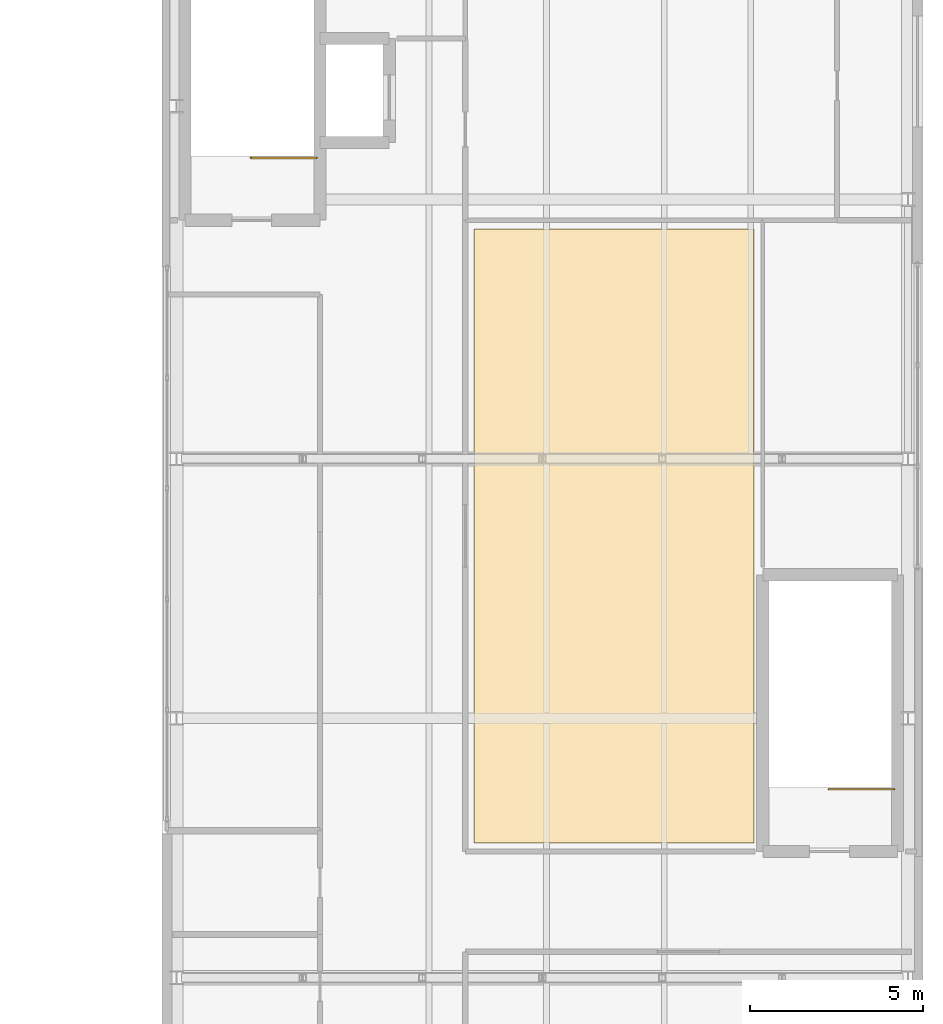
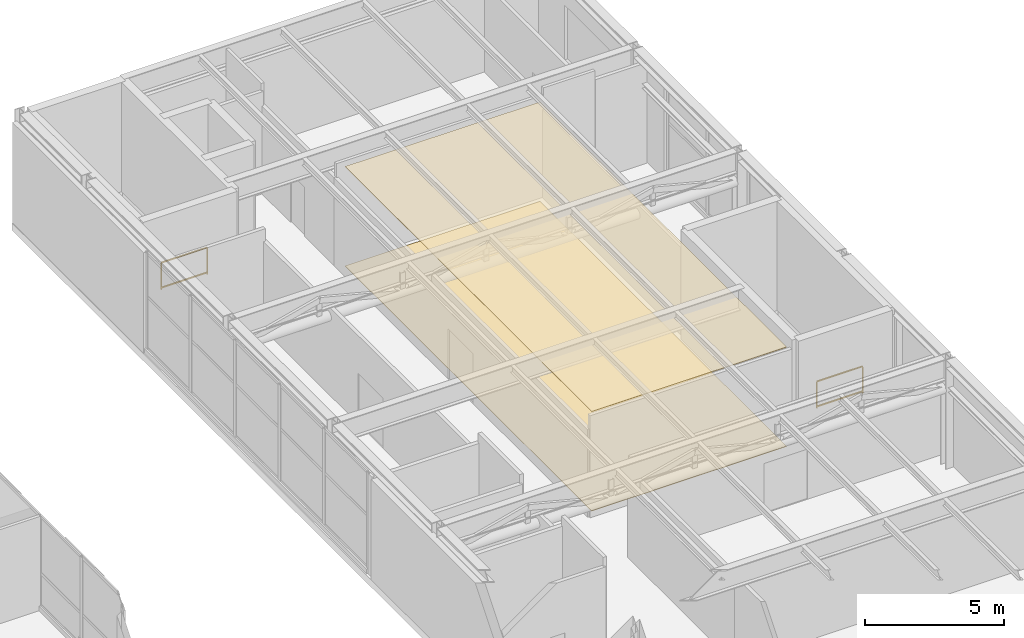
# One storey, part 27 of 27: 2 coverings, 2 railings.
"""IFC4 building model written with IfcOpenShell, lengths in metres."""

from ifc_helpers import new_model, si_unit, direction, frame, origin, origin_2d, place, context, subcontext, project, spatial, polyline, rectangle, outline, extrude, material, layer, layer_set, type_object, element, save


model = new_model("IFC4")

# Units and contexts
model_context = context("Model", 3, precision=1e-05, world=origin(), true_north=direction((0.0, 1.0)))
body_context = subcontext(model_context, "Body", "Model", "MODEL_VIEW")
ifc_project = project(units=[si_unit("LENGTHUNIT", "METRE"), si_unit("AREAUNIT", "SQUARE_METRE"), si_unit("VOLUMEUNIT", "CUBIC_METRE"), si_unit("PLANEANGLEUNIT", "RADIAN"), si_unit("MASSUNIT", "GRAM", prefix="KILO")], contexts=[model_context])

# Site, building, storey
site_placement = place(None, origin())
site = spatial("IfcSite", under=ifc_project, at=site_placement, CompositionType="ELEMENT")
building_placement = place(site_placement, origin())
building = spatial("IfcBuilding", under=site, at=building_placement, Name="Mersakhor Tower and Convention Hall", CompositionType="ELEMENT")
storey_placement = place(building_placement, frame((0.0, 0.0, 14.39990234375)))
storey = spatial("IfcBuildingStorey", under=building, at=storey_placement, Name="L03", CompositionType="ELEMENT", Elevation=14.39990234375)

# Coverings
ifc_material_1 = material(Name="Acoustic mineral-fibre suspended ceiling", Category="other")
ifc_layer_1 = layer(ifc_material_1, 0.02490234375)
ifc_layer_set_1 = layer_set([ifc_layer_1], Name="Acoustic mineral-fibre suspended ceiling")
covering_type_1 = type_object("IfcCoveringType", Name="COV-CLG-25", PredefinedType="CEILING", material=ifc_layer_set_1)
covering_1_placement = place(storey_placement, frame((0.0, 0.0, 4.360107421875)))
element("IfcCovering", 1, at=covering_1_placement, inside=storey, type_object=covering_type_1, Name="L03 Civic Multipurpose Ballroom Hall Acoustic Suspended Ceiling", PredefinedType="CEILING", context=body_context, shape_type="SweptSolid", body=[
    extrude(outline(polyline([(64.10009765625, 39.89990234375), (72.199951171875, 39.89990234375), (72.199951171875, 22.14990234375), (64.10009765625, 22.14990234375), (64.10009765625, 39.89990234375)])), origin(), (0.0, 0.0, 1.0), 0.02490234375),
])
ifc_material_2 = material(Name="Polished porcelain tile flooring", Category="other")
ifc_layer_2 = layer(ifc_material_2, 0.02001953125)
ifc_layer_set_2 = layer_set([ifc_layer_2], Name="Polished porcelain tile flooring")
covering_type_2 = type_object("IfcCoveringType", Name="COV-FLR-20", PredefinedType="FLOORING", material=ifc_layer_set_2)
covering_2_placement = place(storey_placement, origin())
element("IfcCovering", 2, at=covering_2_placement, inside=storey, type_object=covering_type_2, Name="L03 Civic Multipurpose Ballroom Hall Porcelain Floor Finish", PredefinedType="FLOORING", context=body_context, shape_type="SweptSolid", body=[
    extrude(outline(polyline([(64.10009765625, 39.89990234375), (72.199951171875, 39.89990234375), (72.199951171875, 22.14990234375), (64.10009765625, 22.14990234375), (64.10009765625, 39.89990234375)])), origin(), (0.0, 0.0, 1.0), 0.02001953125),
])

# Railings
ifc_material_3 = material(Name="Painted steel stair balustrade S355", Category="steel")
railing_type = type_object("IfcRailingType", Name="RL-STG-1200", PredefinedType="BALUSTRADE", material=ifc_material_3)
railing_1_placement = place(storey_placement, frame((59.550048828125, 41.949951171875, 0.0)))
element("IfcRailing", 3, at=railing_1_placement, inside=storey, type_object=railing_type, Name="L03 CH-ST2 top well guard 1", PredefinedType="BALUSTRADE", context=body_context, shape_type="SweptSolid", body=[
    extrude(rectangle(XDim=0.048095703125, YDim=0.048095703125, at=origin_2d()), frame((0.0, 0.0, 1.17578125), z_axis=(-1.0, 0.0, 0.0), x_axis=(0.0, -1.0, 0.0)), (0.0, 0.0, 1.0), 1.900146484375),
    extrude(rectangle(XDim=0.048095703125, YDim=0.048095703125, at=origin_2d()), frame((0.0, 0.0, 0.080078125), z_axis=(-1.0, 0.0, 0.0), x_axis=(0.0, -1.0, 0.0)), (0.0, 0.0, 1.0), 1.900146484375),
    extrude(rectangle(XDim=0.0419921875, YDim=0.0419921875, at=origin_2d()), origin(), (0.0, 0.0, 1.0), 1.15185546875),
    extrude(rectangle(XDim=0.0419921875, YDim=0.0419921875, at=origin_2d()), frame((-1.900146484375, 0.0, 0.0)), (0.0, 0.0, 1.0), 1.15185546875),
])
railing_2_placement = place(storey_placement, frame((76.25, 23.699951171875, 0.0)))
element("IfcRailing", 4, at=railing_2_placement, inside=storey, type_object=railing_type, Name="L03 CH-ST3 top well guard 1", PredefinedType="BALUSTRADE", context=body_context, shape_type="SweptSolid", body=[
    extrude(rectangle(XDim=0.048095703125, YDim=0.048095703125, at=origin_2d()), frame((0.0, 0.0, 1.17578125), z_axis=(-1.0, 0.0, 0.0), x_axis=(0.0, -1.0, 0.0)), (0.0, 0.0, 1.0), 1.89990234375),
    extrude(rectangle(XDim=0.048095703125, YDim=0.048095703125, at=origin_2d()), frame((0.0, 0.0, 0.080078125), z_axis=(-1.0, 0.0, 0.0), x_axis=(0.0, -1.0, 0.0)), (0.0, 0.0, 1.0), 1.89990234375),
    extrude(rectangle(XDim=0.0419921875, YDim=0.0419921875, at=origin_2d()), origin(), (0.0, 0.0, 1.0), 1.15185546875),
    extrude(rectangle(XDim=0.0419921875, YDim=0.0419921875, at=origin_2d()), frame((-1.89990234375, 0.0, 0.0)), (0.0, 0.0, 1.0), 1.15185546875),
])

save(model, "model.ifc")
